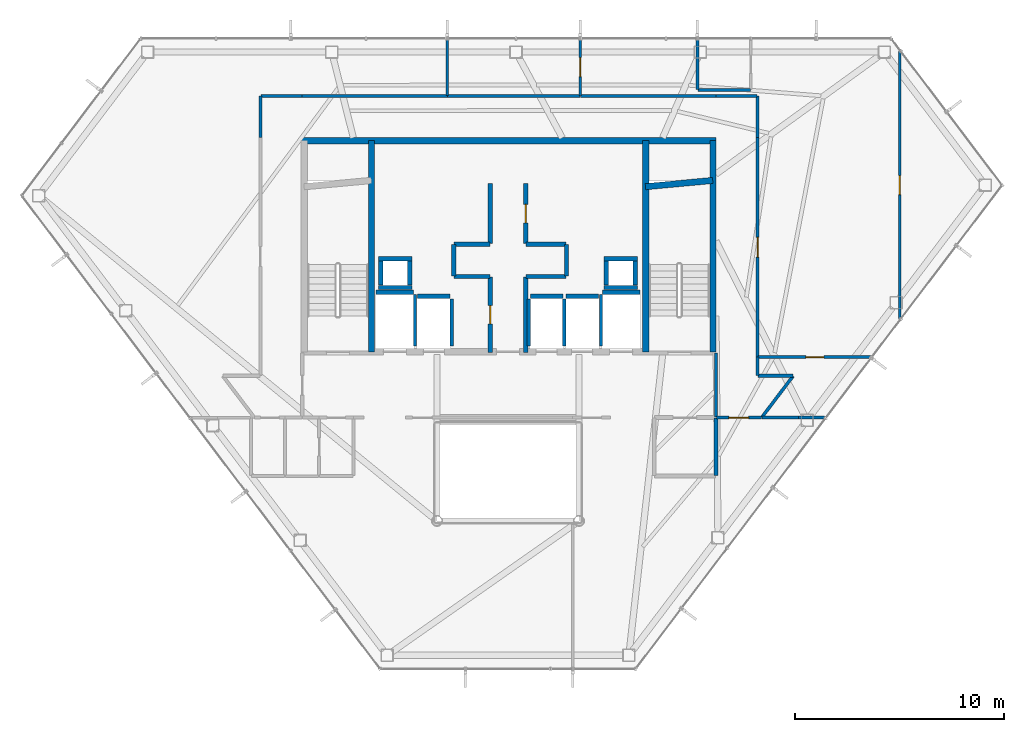
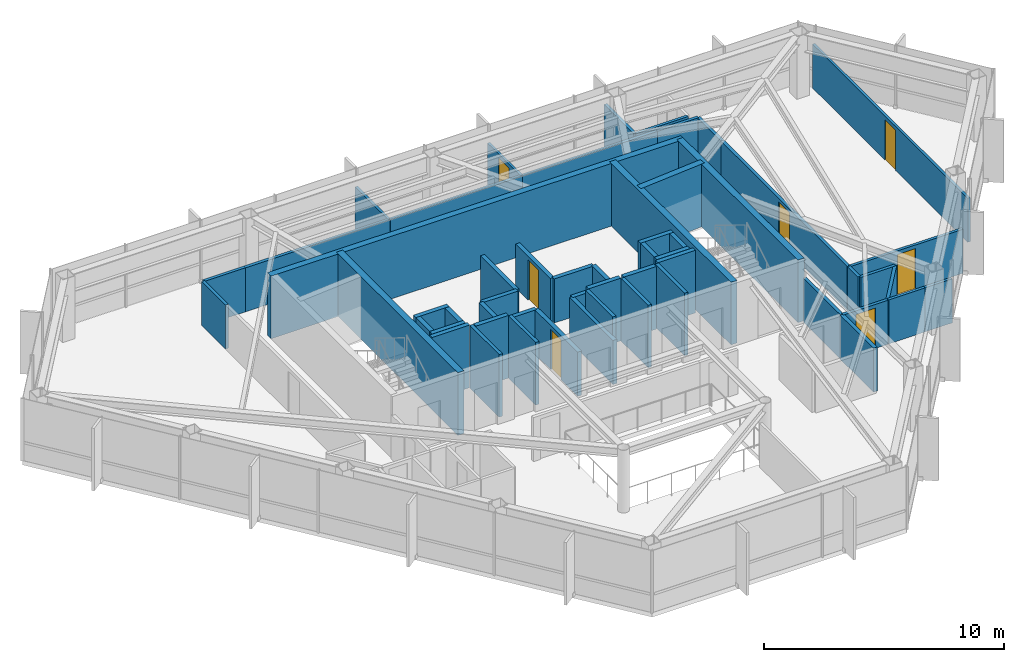
# One storey, part 26 of 28: 55 walls, 7 doors, 7 openings.
"""IFC4 building model written with IfcOpenShell, lengths in metres."""

from ifc_helpers import new_model, si_unit, direction, frame, frame_2d, origin, place, context, subcontext, project, spatial, rectangle, extrude, material, layer, layer_set, type_object, element, fill, save


model = new_model("IFC4")

# Units and contexts
model_context = context("Model", 3, precision=1e-05, world=origin(), true_north=direction((0.0, 1.0)))
body_context = subcontext(model_context, "Body", "Model", "MODEL_VIEW")
ifc_project = project(units=[si_unit("LENGTHUNIT", "METRE"), si_unit("AREAUNIT", "SQUARE_METRE"), si_unit("VOLUMEUNIT", "CUBIC_METRE"), si_unit("PLANEANGLEUNIT", "RADIAN"), si_unit("MASSUNIT", "GRAM", prefix="KILO")], contexts=[model_context])

# Site, building, storey
site_placement = place(None, origin())
site = spatial("IfcSite", under=ifc_project, at=site_placement, CompositionType="ELEMENT")
building_placement = place(site_placement, origin())
building = spatial("IfcBuilding", under=site, at=building_placement, Name="Zarrinselat Tower", CompositionType="ELEMENT")
storey_placement = place(building_placement, frame((0.0, 0.0, 222.360107421875)))
storey = spatial("IfcBuildingStorey", under=building, at=storey_placement, Name="L55", CompositionType="ELEMENT", Elevation=222.360107421875)

# Walls
ifc_material_1 = material(Name="Concrete C40/50", Category="concrete")
ifc_layer_1 = layer(ifc_material_1, 0.18994140625)
ifc_layer_set_1 = layer_set([ifc_layer_1], Name="Concrete C40/50")
wall_type_1 = type_object("IfcWallType", Name="WAL-PART-EI120", PredefinedType="PARTITIONING", material=ifc_layer_set_1)
wall_1_placement = place(storey_placement, frame((48.35009765625, 27.3701171875, 0.0), z_axis=(0.0, 0.0, 1.0), x_axis=(0.0, 1.0, 0.0)))
element("IfcWall", 1, at=wall_1_placement, inside=storey, type_object=wall_type_1, Name="L55 Partition Wall 21", PredefinedType="PARTITIONING", context=body_context, shape_type="SweptSolid", body=[
    extrude(rectangle(XDim=2.759765625, YDim=0.18994140625, at=frame_2d((1.3798828125, 0.0))), origin(), (0.0, 0.0, 1.0), 2.23486328125),
])
ifc_material_2 = material(Name="Fire-Rated Gypsum Board Partition", Category="gypsum")
ifc_layer_2 = layer(ifc_material_2, 0.14990234375)
ifc_layer_set_2 = layer_set([ifc_layer_2], Name="Fire-Rated Gypsum Board Partition")
wall_type_2 = type_object("IfcWallType", Name="WAL-PART-EI60", PredefinedType="PARTITIONING", material=ifc_layer_set_2)
wall_2_placement = place(storey_placement, frame((48.35009765625, 30.169921875, 0.0), z_axis=(0.0, 0.0, 1.0), x_axis=(0.0, 1.0, 0.0)))
element("IfcWall", 2, at=wall_2_placement, inside=storey, type_object=wall_type_2, Name="L55 Partition Wall 13", PredefinedType="PARTITIONING", context=body_context, shape_type="SweptSolid", body=[
    extrude(rectangle(XDim=3.06005859375, YDim=0.14990234375, at=frame_2d((1.530029296875, 0.0))), origin(), (0.0, 0.0, 1.0), 2.23486328125),
])

# Wall, opening, door
wall_3_placement = place(storey_placement, frame((48.3701171875, 30.14990234375, 0.0), z_axis=(0.0, 0.0, 1.0), x_axis=(1.0, 0.0, 0.0)))
wall_3 = element("IfcWall", 3, at=wall_3_placement, inside=storey, type_object=wall_type_2, Name="L55 Partition Wall 24", PredefinedType="PARTITIONING", context=body_context, shape_type="SweptSolid", body=[
    extrude(rectangle(XDim=2.155029296875, YDim=0.14990234375, at=frame_2d((1.07763671875, 0.0))), origin(), (0.0, 0.0, 1.0), 2.23486328125),
])
opening_1_placement = place(wall_3_placement, frame((0.607666015625, 0.0, 0.0)))
opening_1 = element("IfcOpeningElement", 4, at=opening_1_placement, cuts=wall_3, Name="Opening ID-04", PredefinedType="OPENING", context=body_context, shape_type="SweptSolid", body=[
    extrude(rectangle(XDim=0.93994140625, YDim=2.050048828125, at=frame_2d((0.469970703125, 1.02490234375))), frame((0.0, 0.0849609375, 0.0), z_axis=(0.0, -1.0, 0.0), x_axis=(1.0, 0.0, 0.0)), (0.0, 0.0, 1.0), 0.169921875),
])
ifc_material_3 = material(Name="Fire-Rated Gypsum Board Partition")
door_type_1 = type_object("IfcDoorType", Name="DR-INT-FD30-ENT", OperationType="NOTDEFINED", PredefinedType="DOOR", material=ifc_material_3)
door_1_placement = place(opening_1_placement, origin())
door_1 = element("IfcDoor", 5, at=door_1_placement, inside=storey, type_object=door_type_1, Name="L55 Interior Door P24", OperationType="SINGLE_SWING_RIGHT", OverallHeight=2.050048828125, OverallWidth=0.93994140625, PredefinedType="DOOR", context=body_context, shape_type="SweptSolid", body=[
    extrude(rectangle(XDim=0.93994140625, YDim=2.050048828125, at=frame_2d((0.469970703125, 1.02490234375))), frame((0.0, 0.02490234375, 0.0), z_axis=(0.0, -1.0, 0.0), x_axis=(1.0, 0.0, 0.0)), (0.0, 0.0, 1.0), 0.050048828125),
])
fill(opening_1, door_1)

# Walls
for number, where, z_axis, x_axis, name in (
    (6, (26.550048828125, 43.550048828125, 0.0), (0.0, 0.0, 1.0), (0.0, 1.0, 0.0), "L55 Partition Wall 28"),
    (7, (26.570068359375, 45.550048828125, 0.0), (0.0, 0.0, 1.0), (1.0, 0.0, 0.0), "L55 Partition Wall 29"),
):
    element("IfcWall", number, at=place(storey_placement, frame(where, z_axis=z_axis, x_axis=x_axis)), inside=storey, type_object=wall_type_2, Name=name, PredefinedType="PARTITIONING", context=body_context, shape_type="SweptSolid", body=[
        extrude(rectangle(XDim=1.97998046875, YDim=0.14990234375, at=frame_2d((0.989990234375, 0.0))), origin(), (0.0, 0.0, 1.0), 2.23486328125),
    ])
wall_4_placement = place(storey_placement, frame((28.550048828125, 45.550048828125, 0.0), z_axis=(0.0, 0.0, 1.0), x_axis=(1.0, 0.0, 0.0)))
element("IfcWall", 8, at=wall_4_placement, inside=storey, type_object=wall_type_2, Name="L55 Partition Wall 30", PredefinedType="PARTITIONING", context=body_context, shape_type="SweptSolid", body=[
    extrude(rectangle(XDim=6.945068359375, YDim=0.14990234375, at=frame_2d((3.47265625, 0.0))), origin(), (0.0, 0.0, 1.0), 2.23486328125),
])
wall_5_placement = place(storey_placement, frame((41.8603515625, 45.550048828125, 0.0), z_axis=(0.0, 0.0, 1.0), x_axis=(1.0, 0.0, 0.0)))
element("IfcWall", 9, at=wall_5_placement, inside=storey, type_object=wall_type_2, Name="L55 Partition Wall 31", PredefinedType="PARTITIONING", context=body_context, shape_type="SweptSolid", body=[
    extrude(rectangle(XDim=6.48974609375, YDim=0.14990234375, at=frame_2d((3.244873046875, 0.0))), origin(), (0.0, 0.0, 1.0), 2.23486328125),
])
for number, where, z_axis, x_axis, name in (
    (10, (48.35009765625, 45.550048828125, 0.0), (0.0, 0.0, 1.0), (1.0, 0.0, 0.0), "L55 Partition Wall 32"),
    (11, (50.35009765625, 43.550048828125, 0.0), (0.0, 0.0, 1.0), (0.0, 1.0, 0.0), "L55 Partition Wall 33"),
):
    element("IfcWall", number, at=place(storey_placement, frame(where, z_axis=z_axis, x_axis=x_axis)), inside=storey, type_object=wall_type_2, Name=name, PredefinedType="PARTITIONING", context=body_context, shape_type="SweptSolid", body=[
        extrude(rectangle(XDim=1.97998046875, YDim=0.14990234375, at=frame_2d((0.989990234375, 0.0))), origin(), (0.0, 0.0, 1.0), 2.23486328125),
    ])

# Wall, opening, door
wall_6_placement = place(storey_placement, frame((50.35009765625, 33.048583984375, 0.0), z_axis=(0.0, 0.0, 1.0), x_axis=(0.0, 1.0, 0.0)))
wall_6 = element("IfcWall", 12, at=wall_6_placement, inside=storey, type_object=wall_type_2, Name="L55 Partition Wall 34", PredefinedType="PARTITIONING", context=body_context, shape_type="SweptSolid", body=[
    extrude(rectangle(XDim=10.50146484375, YDim=0.14990234375, at=frame_2d((5.250732421875, 0.0))), origin(), (0.0, 0.0, 1.0), 2.23486328125),
])
opening_2_placement = place(wall_6_placement, frame((4.78076171875, 0.0, 0.0)))
opening_2 = element("IfcOpeningElement", 13, at=opening_2_placement, cuts=wall_6, Name="Opening ID-04", PredefinedType="OPENING", context=body_context, shape_type="SweptSolid", body=[
    extrude(rectangle(XDim=0.93994140625, YDim=2.050048828125, at=frame_2d((0.469970703125, 1.02490234375))), frame((0.0, 0.0849609375, 0.0), z_axis=(0.0, -1.0, 0.0), x_axis=(1.0, 0.0, 0.0)), (0.0, 0.0, 1.0), 0.169921875),
])
door_2_placement = place(opening_2_placement, origin())
door_2 = element("IfcDoor", 14, at=door_2_placement, inside=storey, type_object=door_type_1, Name="L55 Interior Door P34", OperationType="SINGLE_SWING_RIGHT", OverallHeight=2.050048828125, OverallWidth=0.93994140625, PredefinedType="DOOR", context=body_context, shape_type="SweptSolid", body=[
    extrude(rectangle(XDim=0.93994140625, YDim=2.050048828125, at=frame_2d((0.469970703125, 1.02490234375))), frame((0.0, 0.02490234375, 0.0), z_axis=(0.0, -1.0, 0.0), x_axis=(1.0, 0.0, 0.0)), (0.0, 0.0, 1.0), 0.050048828125),
])
fill(opening_2, door_2)

# Walls
wall_7_placement = place(storey_placement, frame((50.35009765625, 32.169921875, 0.0), z_axis=(0.0, 0.0, 1.0), x_axis=(0.0, 1.0, 0.0)))
element("IfcWall", 15, at=wall_7_placement, inside=storey, type_object=wall_type_2, Name="L55 Partition Wall 35", PredefinedType="PARTITIONING", context=body_context, shape_type="SweptSolid", body=[
    extrude(rectangle(XDim=0.86865234375, YDim=0.14990234375, at=frame_2d((0.434326171875, 0.0))), origin(), (0.0, 0.0, 1.0), 2.23486328125),
])
wall_8_placement = place(storey_placement, frame((50.3701171875, 32.14990234375, 0.0), z_axis=(0.0, 0.0, 1.0), x_axis=(1.0, 0.0, 0.0)))
element("IfcWall", 16, at=wall_8_placement, inside=storey, type_object=wall_type_2, Name="L55 Partition Wall 36", PredefinedType="PARTITIONING", context=body_context, shape_type="SweptSolid", body=[
    extrude(rectangle(XDim=1.665283203125, YDim=0.14990234375, at=frame_2d((0.83251953125, 0.0))), origin(), (0.0, 0.0, 1.0), 2.23486328125),
])
wall_9_placement = place(storey_placement, frame((50.55224609375, 30.166015625, 0.0), z_axis=(0.0, 0.0, 1.0), x_axis=(0.603869110647, 0.797083494502, 0.0)))
element("IfcWall", 17, at=wall_9_placement, inside=storey, type_object=wall_type_2, Name="L55 Partition Wall 37", PredefinedType="PARTITIONING", context=body_context, shape_type="SweptSolid", body=[
    extrude(rectangle(XDim=2.468994140625, YDim=0.14990234375, at=frame_2d((1.234375, 0.0))), origin(), (0.0, 0.0, 1.0), 2.23486328125),
])
wall_10_placement = place(storey_placement, frame((35.5048828125, 45.550048828125, 0.0), z_axis=(0.0, 0.0, 1.0), x_axis=(1.0, 0.0, 0.0)))
element("IfcWall", 18, at=wall_10_placement, inside=storey, type_object=wall_type_2, Name="L55 Partition Wall 38", PredefinedType="PARTITIONING", context=body_context, shape_type="SweptSolid", body=[
    extrude(rectangle(XDim=6.345458984375, YDim=0.14990234375, at=frame_2d((3.1728515625, 0.0))), origin(), (0.0, 0.0, 1.0), 2.23486328125),
])

# Wall, opening, door
ifc_material_4 = material(Name="Concrete C40/50", Category="concrete")
ifc_layer_3 = layer(ifc_material_4, 0.199951171875)
ifc_layer_set_3 = layer_set([ifc_layer_3], Name="Concrete C40/50")
wall_type_3 = type_object("IfcWallType", Name="WAL-PART-PLANT", PredefinedType="PARTITIONING", material=ifc_layer_set_3)
wall_11_placement = place(storey_placement, frame((37.550048828125, 33.264892578125, 0.0), z_axis=(0.0, 0.0, 1.0), x_axis=(0.0, 1.0, 0.0)))
wall_11 = element("IfcWall", 19, at=wall_11_placement, inside=storey, type_object=wall_type_3, Name="L55 Partition Wall 1", PredefinedType="PARTITIONING", context=body_context, shape_type="SweptSolid", body=[
    extrude(rectangle(XDim=3.614990234375, YDim=0.199951171875, at=frame_2d((1.8076171875, 0.0))), origin(), (0.0, 0.0, 1.0), 2.23486328125),
])
opening_3_placement = place(wall_11_placement, frame((1.367431640625, 0.0, 0.0)))
opening_3 = element("IfcOpeningElement", 20, at=opening_3_placement, cuts=wall_11, Name="Opening ID-03", PredefinedType="OPENING", context=body_context, shape_type="SweptSolid", body=[
    extrude(rectangle(XDim=0.8798828125, YDim=2.050048828125, at=frame_2d((0.43994140625, 1.02490234375))), frame((0.0, 0.10986328125, 0.0), z_axis=(0.0, -1.0, 0.0), x_axis=(1.0, 0.0, 0.0)), (0.0, 0.0, 1.0), 0.219970703125),
])
ifc_material_5 = material(Name="Steel S355J2", Category="steel")
door_type_2 = type_object("IfcDoorType", Name="DR-INT-FD60-S", OperationType="NOTDEFINED", PredefinedType="DOOR", material=ifc_material_5)
door_3_placement = place(opening_3_placement, origin())
door_3 = element("IfcDoor", 21, at=door_3_placement, inside=storey, type_object=door_type_2, Name="L55 Interior Door P1", OperationType="SINGLE_SWING_RIGHT", OverallHeight=2.050048828125, OverallWidth=0.8798828125, PredefinedType="DOOR", context=body_context, shape_type="SweptSolid", body=[
    extrude(rectangle(XDim=0.8798828125, YDim=2.050048828125, at=frame_2d((0.43994140625, 1.02490234375))), frame((0.0, 0.02490234375, 0.0), z_axis=(0.0, -1.0, 0.0), x_axis=(1.0, 0.0, 0.0)), (0.0, 0.0, 1.0), 0.050048828125),
])
fill(opening_3, door_3)

# Walls
wall_12_placement = place(storey_placement, frame((35.820068359375, 36.89990234375, 0.0), z_axis=(0.0, 0.0, 1.0), x_axis=(1.0, 0.0, 0.0)))
element("IfcWall", 22, at=wall_12_placement, inside=storey, type_object=wall_type_3, Name="L55 Partition Wall 2", PredefinedType="PARTITIONING", context=body_context, shape_type="SweptSolid", body=[
    extrude(rectangle(XDim=1.7099609375, YDim=0.199951171875, at=frame_2d((0.85498046875, 0.0))), origin(), (0.0, 0.0, 1.0), 2.23486328125),
])
wall_13_placement = place(storey_placement, frame((35.800048828125, 36.919921875, 0.0), z_axis=(0.0, 0.0, 1.0), x_axis=(0.0, 1.0, 0.0)))
element("IfcWall", 23, at=wall_13_placement, inside=storey, type_object=wall_type_3, Name="L55 Partition Wall 3", PredefinedType="PARTITIONING", context=body_context, shape_type="SweptSolid", body=[
    extrude(rectangle(XDim=1.510009765625, YDim=0.199951171875, at=frame_2d((0.7548828125, 0.0))), origin(), (0.0, 0.0, 1.0), 2.23486328125),
])
wall_14_placement = place(storey_placement, frame((35.820068359375, 38.449951171875, 0.0), z_axis=(0.0, 0.0, 1.0), x_axis=(1.0, 0.0, 0.0)))
element("IfcWall", 24, at=wall_14_placement, inside=storey, type_object=wall_type_3, Name="L55 Partition Wall 4", PredefinedType="PARTITIONING", context=body_context, shape_type="SweptSolid", body=[
    extrude(rectangle(XDim=1.7099609375, YDim=0.199951171875, at=frame_2d((0.85498046875, 0.0))), origin(), (0.0, 0.0, 1.0), 2.23486328125),
])
wall_15_placement = place(storey_placement, frame((37.550048828125, 38.469970703125, 0.0), z_axis=(0.0, 0.0, 1.0), x_axis=(0.0, 1.0, 0.0)))
element("IfcWall", 25, at=wall_15_placement, inside=storey, type_object=wall_type_3, Name="L55 Partition Wall 5", PredefinedType="PARTITIONING", context=body_context, shape_type="SweptSolid", body=[
    extrude(rectangle(XDim=2.880126953125, YDim=0.199951171875, at=frame_2d((1.43994140625, 0.0))), origin(), (0.0, 0.0, 1.0), 2.23486328125),
])

# Wall, opening, door
wall_16_placement = place(storey_placement, frame((39.25, 38.469970703125, 0.0), z_axis=(0.0, 0.0, 1.0), x_axis=(0.0, 1.0, 0.0)))
wall_16 = element("IfcWall", 26, at=wall_16_placement, inside=storey, type_object=wall_type_3, Name="L55 Partition Wall 6", PredefinedType="PARTITIONING", context=body_context, shape_type="SweptSolid", body=[
    extrude(rectangle(XDim=2.880126953125, YDim=0.199951171875, at=frame_2d((1.43994140625, 0.0))), origin(), (0.0, 0.0, 1.0), 2.23486328125),
])
opening_4_placement = place(wall_16_placement, frame((1.0, 0.0, 0.0)))
opening_4 = element("IfcOpeningElement", 27, at=opening_4_placement, cuts=wall_16, Name="Opening ID-03", PredefinedType="OPENING", context=body_context, shape_type="SweptSolid", body=[
    extrude(rectangle(XDim=0.8798828125, YDim=2.050048828125, at=frame_2d((0.43994140625, 1.02490234375))), frame((0.0, 0.10986328125, 0.0), z_axis=(0.0, -1.0, 0.0), x_axis=(1.0, 0.0, 0.0)), (0.0, 0.0, 1.0), 0.219970703125),
])
door_4_placement = place(opening_4_placement, origin())
door_4 = element("IfcDoor", 28, at=door_4_placement, inside=storey, type_object=door_type_2, Name="L55 Interior Door P6", OperationType="SINGLE_SWING_LEFT", OverallHeight=2.050048828125, OverallWidth=0.8798828125, PredefinedType="DOOR", context=body_context, shape_type="SweptSolid", body=[
    extrude(rectangle(XDim=0.8798828125, YDim=2.050048828125, at=frame_2d((0.43994140625, 1.02490234375))), frame((0.0, 0.02490234375, 0.0), z_axis=(0.0, -1.0, 0.0), x_axis=(1.0, 0.0, 0.0)), (0.0, 0.0, 1.0), 0.050048828125),
])
fill(opening_4, door_4)

# Walls
wall_17_placement = place(storey_placement, frame((39.27001953125, 38.449951171875, 0.0), z_axis=(0.0, 0.0, 1.0), x_axis=(1.0, 0.0, 0.0)))
element("IfcWall", 29, at=wall_17_placement, inside=storey, type_object=wall_type_3, Name="L55 Partition Wall 7", PredefinedType="PARTITIONING", context=body_context, shape_type="SweptSolid", body=[
    extrude(rectangle(XDim=1.909912109375, YDim=0.199951171875, at=frame_2d((0.955078125, 0.0))), origin(), (0.0, 0.0, 1.0), 2.23486328125),
])
wall_18_placement = place(storey_placement, frame((41.199951171875, 36.919921875, 0.0), z_axis=(0.0, 0.0, 1.0), x_axis=(0.0, 1.0, 0.0)))
element("IfcWall", 30, at=wall_18_placement, inside=storey, type_object=wall_type_3, Name="L55 Partition Wall 8", PredefinedType="PARTITIONING", context=body_context, shape_type="SweptSolid", body=[
    extrude(rectangle(XDim=1.510009765625, YDim=0.199951171875, at=frame_2d((0.7548828125, 0.0))), origin(), (0.0, 0.0, 1.0), 2.23486328125),
])
wall_19_placement = place(storey_placement, frame((39.27001953125, 36.89990234375, 0.0), z_axis=(0.0, 0.0, 1.0), x_axis=(1.0, 0.0, 0.0)))
element("IfcWall", 31, at=wall_19_placement, inside=storey, type_object=wall_type_3, Name="L55 Partition Wall 9", PredefinedType="PARTITIONING", context=body_context, shape_type="SweptSolid", body=[
    extrude(rectangle(XDim=1.909912109375, YDim=0.199951171875, at=frame_2d((0.955078125, 0.0))), origin(), (0.0, 0.0, 1.0), 2.23486328125),
])
wall_20_placement = place(storey_placement, frame((39.25, 33.264892578125, 0.0), z_axis=(0.0, 0.0, 1.0), x_axis=(0.0, 1.0, 0.0)))
element("IfcWall", 32, at=wall_20_placement, inside=storey, type_object=wall_type_3, Name="L55 Partition Wall 10", PredefinedType="PARTITIONING", context=body_context, shape_type="SweptSolid", body=[
    extrude(rectangle(XDim=3.614990234375, YDim=0.199951171875, at=frame_2d((1.8076171875, 0.0))), origin(), (0.0, 0.0, 1.0), 2.23486328125),
])
ifc_material_6 = material(Name="Fire-Rated Gypsum Board Partition", Category="gypsum")
ifc_layer_4 = layer(ifc_material_6, 0.1201171875)
ifc_layer_set_4 = layer_set([ifc_layer_4], Name="Fire-Rated Gypsum Board Partition")
wall_type_4 = type_object("IfcWallType", Name="WAL-PART-STD", PredefinedType="PARTITIONING", material=ifc_layer_set_4)
wall_21_placement = place(storey_placement, frame((35.5, 45.570068359375, 0.0), z_axis=(0.0, 0.0, 1.0), x_axis=(0.0, 1.0, 0.0)))
element("IfcWall", 33, at=wall_21_placement, inside=storey, type_object=wall_type_4, Name="L55 Partition Wall 51", PredefinedType="PARTITIONING", context=body_context, shape_type="SweptSolid", body=[
    extrude(rectangle(XDim=2.709228515625, YDim=0.1201171875, at=frame_2d((1.3544921875, 0.0))), origin(), (0.0, 0.0, 1.0), 2.23486328125),
])

# Wall, opening, door
wall_22_placement = place(storey_placement, frame((41.855224609375, 45.570068359375, 0.0), z_axis=(0.0, 0.0, 1.0), x_axis=(0.0, 1.0, 0.0)))
wall_22 = element("IfcWall", 34, at=wall_22_placement, inside=storey, type_object=wall_type_4, Name="L55 Partition Wall 56", PredefinedType="PARTITIONING", context=body_context, shape_type="SweptSolid", body=[
    extrude(rectangle(XDim=2.709228515625, YDim=0.1201171875, at=frame_2d((1.3544921875, 0.0))), origin(), (0.0, 0.0, 1.0), 2.23486328125),
])
opening_5_placement = place(wall_22_placement, frame((0.90478515625, 0.0, 0.0)))
opening_5 = element("IfcOpeningElement", 35, at=opening_5_placement, cuts=wall_22, Name="Opening ID-05", PredefinedType="OPENING", context=body_context, shape_type="SweptSolid", body=[
    extrude(rectangle(XDim=0.89990234375, YDim=2.050048828125, at=frame_2d((0.449951171875, 1.02490234375))), frame((0.0, 0.070068359375, 0.0), z_axis=(0.0, -1.0, 0.0), x_axis=(1.0, 0.0, 0.0)), (0.0, 0.0, 1.0), 0.14013671875),
])
ifc_material_7 = material(Name="Extruded Aluminium Alloy EN AW-6063 T6", Category="aluminium")
door_type_3 = type_object("IfcDoorType", Name="DR-INT-STD-920", OperationType="NOTDEFINED", PredefinedType="DOOR", material=ifc_material_7)
door_5_placement = place(opening_5_placement, origin())
door_5 = element("IfcDoor", 36, at=door_5_placement, inside=storey, type_object=door_type_3, Name="L55 Interior Door P56", OperationType="SINGLE_SWING_RIGHT", OverallHeight=2.050048828125, OverallWidth=0.89990234375, PredefinedType="DOOR", context=body_context, shape_type="SweptSolid", body=[
    extrude(rectangle(XDim=0.89990234375, YDim=2.050048828125, at=frame_2d((0.449951171875, 1.02490234375))), frame((0.0, 0.02490234375, 0.0), z_axis=(0.0, -1.0, 0.0), x_axis=(1.0, 0.0, 0.0)), (0.0, 0.0, 1.0), 0.050048828125),
])
fill(opening_5, door_5)

wall_23_placement = place(storey_placement, frame((57.150390625, 34.81689453125, 0.0), z_axis=(0.0, 0.0, 1.0), x_axis=(0.0, 1.0, 0.0)))
wall_23 = element("IfcWall", 37, at=wall_23_placement, inside=storey, type_object=wall_type_4, Name="L55 Partition Wall 57", PredefinedType="PARTITIONING", context=body_context, shape_type="SweptSolid", body=[
    extrude(rectangle(XDim=12.919921875, YDim=0.1201171875, at=frame_2d((6.4599609375, 0.0))), origin(), (0.0, 0.0, 1.0), 2.23486328125),
])
opening_6_placement = place(wall_23_placement, frame((6.010009765625, 0.0, 0.0)))
opening_6 = element("IfcOpeningElement", 38, at=opening_6_placement, cuts=wall_23, Name="Opening ID-05", PredefinedType="OPENING", context=body_context, shape_type="SweptSolid", body=[
    extrude(rectangle(XDim=0.89990234375, YDim=2.050048828125, at=frame_2d((0.449951171875, 1.02490234375))), frame((0.0, 0.070068359375, 0.0), z_axis=(0.0, -1.0, 0.0), x_axis=(1.0, 0.0, 0.0)), (0.0, 0.0, 1.0), 0.14013671875),
])
door_6_placement = place(opening_6_placement, origin())
door_6 = element("IfcDoor", 39, at=door_6_placement, inside=storey, type_object=door_type_3, Name="L55 Interior Door P57", OperationType="SINGLE_SWING_LEFT", OverallHeight=2.050048828125, OverallWidth=0.89990234375, PredefinedType="DOOR", context=body_context, shape_type="SweptSolid", body=[
    extrude(rectangle(XDim=0.89990234375, YDim=2.050048828125, at=frame_2d((0.449951171875, 1.02490234375))), frame((0.0, 0.02490234375, 0.0), z_axis=(0.0, -1.0, 0.0), x_axis=(1.0, 0.0, 0.0)), (0.0, 0.0, 1.0), 0.050048828125),
])
fill(opening_6, door_6)

# Walls
ifc_material_8 = material(Name="Fire-Rated Gypsum Board Partition", Category="gypsum")
ifc_layer_5 = layer(ifc_material_8, 0.135009765625)
ifc_layer_set_5 = layer_set([ifc_layer_5], Name="Fire-Rated Gypsum Board Partition")
wall_type_5 = type_object("IfcWallType", Name="WAL-PART-WET", PredefinedType="PARTITIONING", material=ifc_layer_set_5)
wall_24_placement = place(storey_placement, frame((50.560302734375, 30.14990234375, 0.0), z_axis=(0.0, 0.0, 1.0), x_axis=(1.0, 0.0, 0.0)))
element("IfcWall", 40, at=wall_24_placement, inside=storey, type_object=wall_type_5, Name="L55 Partition Wall 49", PredefinedType="PARTITIONING", context=body_context, shape_type="SweptSolid", body=[
    extrude(rectangle(XDim=1.73974609375, YDim=0.135009765625, at=frame_2d((0.869873046875, 0.0))), origin(), (0.0, 0.0, 1.0), 2.23486328125),
])
wall_25_placement = place(storey_placement, frame((52.300048828125, 30.14990234375, 0.0), z_axis=(0.0, 0.0, 1.0), x_axis=(1.0, 0.0, 0.0)))
element("IfcWall", 41, at=wall_25_placement, inside=storey, type_object=wall_type_5, Name="L55 Partition Wall 50", PredefinedType="PARTITIONING", context=body_context, shape_type="SweptSolid", body=[
    extrude(rectangle(XDim=1.311279296875, YDim=0.135009765625, at=frame_2d((0.65576171875, 0.0))), origin(), (0.0, 0.0, 1.0), 2.23486328125),
])

# Wall, opening, door
wall_26_placement = place(storey_placement, frame((50.3701171875, 33.04345703125, 0.0), z_axis=(0.0, 0.0, 1.0), x_axis=(1.0, 0.0, 0.0)))
wall_26 = element("IfcWall", 42, at=wall_26_placement, inside=storey, type_object=wall_type_5, Name="L55 Partition Wall 52", PredefinedType="PARTITIONING", context=body_context, shape_type="SweptSolid", body=[
    extrude(rectangle(XDim=5.433349609375, YDim=0.135009765625, at=frame_2d((2.716796875, 0.0))), origin(), (0.0, 0.0, 1.0), 2.23486328125),
])
opening_7_placement = place(wall_26_placement, frame((2.28662109375, 0.0, 0.0)))
opening_7 = element("IfcOpeningElement", 43, at=opening_7_placement, cuts=wall_26, Name="Opening ID-06", PredefinedType="OPENING", context=body_context, shape_type="SweptSolid", body=[
    extrude(rectangle(XDim=0.860107421875, YDim=2.050048828125, at=frame_2d((0.43017578125, 1.02490234375))), frame((0.0, 0.077392578125, 0.0), z_axis=(0.0, -1.0, 0.0), x_axis=(1.0, 0.0, 0.0)), (0.0, 0.0, 1.0), 0.155029296875),
])
ifc_material_9 = material(Name="Extruded Aluminium Alloy EN AW-6063 T6", Category="aluminium")
door_type_4 = type_object("IfcDoorType", Name="DR-INT-WET-900", OperationType="NOTDEFINED", PredefinedType="DOOR", material=ifc_material_9)
door_7_placement = place(opening_7_placement, origin())
door_7 = element("IfcDoor", 44, at=door_7_placement, inside=storey, type_object=door_type_4, Name="L55 Interior Door P52", OperationType="SINGLE_SWING_RIGHT", OverallHeight=2.050048828125, OverallWidth=0.860107421875, PredefinedType="DOOR", context=body_context, shape_type="SweptSolid", body=[
    extrude(rectangle(XDim=0.860107421875, YDim=2.050048828125, at=frame_2d((0.43017578125, 1.02490234375))), frame((0.0, 0.02490234375, 0.0), z_axis=(0.0, -1.0, 0.0), x_axis=(1.0, 0.0, 0.0)), (0.0, 0.0, 1.0), 0.050048828125),
])
fill(opening_7, door_7)

# Walls
wall_27_placement = place(storey_placement, frame((47.46533203125, 45.8544921875, 0.0), z_axis=(0.0, 0.0, 1.0), x_axis=(0.0, 1.0, 0.0)))
element("IfcWall", 45, at=wall_27_placement, inside=storey, type_object=wall_type_5, Name="L55 Partition Wall 53", PredefinedType="PARTITIONING", context=body_context, shape_type="SweptSolid", body=[
    extrude(rectangle(XDim=2.4248046875, YDim=0.135009765625, at=frame_2d((1.21240234375, 0.0))), origin(), (0.0, 0.0, 1.0), 2.23486328125),
])
wall_28_placement = place(storey_placement, frame((47.4853515625, 45.83447265625, 0.0), z_axis=(0.0, 0.0, 1.0), x_axis=(1.0, 0.0, 0.0)))
element("IfcWall", 46, at=wall_28_placement, inside=storey, type_object=wall_type_5, Name="L55 Partition Wall 54", PredefinedType="PARTITIONING", context=body_context, shape_type="SweptSolid", body=[
    extrude(rectangle(XDim=2.510009765625, YDim=0.135009765625, at=frame_2d((1.2548828125, 0.0))), origin(), (0.0, 0.0, 1.0), 2.23486328125),
])
ifc_material_10 = material(Name="Concrete C40/50", Category="concrete")
ifc_layer_6 = layer(ifc_material_10, 0.2099609375)
ifc_layer_set_6 = layer_set([ifc_layer_6], Name="Concrete C40/50")
wall_type_6 = type_object("IfcWallType", Name="WAL-SHAFT-210", PredefinedType="SOLIDWALL", material=ifc_layer_set_6)
wall_29_placement = place(storey_placement, frame((32.080078125, 36.155029296875, 0.0), z_axis=(0.0, 0.0, 1.0), x_axis=(1.0, 0.0, 0.0)))
element("IfcWall", 47, at=wall_29_placement, inside=storey, type_object=wall_type_6, Name="L55 Lift FFL1 North Shaft Wall", PredefinedType="SOLIDWALL", context=body_context, shape_type="SweptSolid", body=[
    extrude(rectangle(XDim=1.7998046875, YDim=0.2099609375, at=frame_2d((0.89990234375, 0.0))), origin(), (0.0, 0.0, 1.0), 3.179931640625),
])
wall_30_placement = place(storey_placement, frame((33.949951171875, 33.580078125, 0.0), z_axis=(0.0, 0.0, 1.0), x_axis=(0.0, 1.0, 0.0)))
element("IfcWall", 48, at=wall_30_placement, inside=storey, type_object=wall_type_6, Name="L55 Lift FFL1 E Shaft Wall", PredefinedType="SOLIDWALL", context=body_context, shape_type="SweptSolid", body=[
    extrude(rectangle(XDim=2.449951171875, YDim=0.159912109375, at=frame_2d((1.22509765625, 0.0))), origin(), (0.0, 0.0, 1.0), 3.179931640625),
])
wall_31_placement = place(storey_placement, frame((42.919921875, 36.155029296875, 0.0), z_axis=(0.0, 0.0, 1.0), x_axis=(1.0, 0.0, 0.0)))
element("IfcWall", 49, at=wall_31_placement, inside=storey, type_object=wall_type_6, Name="L55 Lift FFL2 North Shaft Wall", PredefinedType="SOLIDWALL", context=body_context, shape_type="SweptSolid", body=[
    extrude(rectangle(XDim=1.800048828125, YDim=0.2099609375, at=frame_2d((0.89990234375, 0.0))), origin(), (0.0, 0.0, 1.0), 3.179931640625),
])
wall_32_placement = place(storey_placement, frame((42.85009765625, 33.580078125, 0.0), z_axis=(0.0, 0.0, 1.0), x_axis=(0.0, 1.0, 0.0)))
element("IfcWall", 50, at=wall_32_placement, inside=storey, type_object=wall_type_6, Name="L55 Lift FFL2 W Shaft Wall", PredefinedType="SOLIDWALL", context=body_context, shape_type="SweptSolid", body=[
    extrude(rectangle(XDim=2.449951171875, YDim=0.159912109375, at=frame_2d((1.22509765625, 0.0))), origin(), (0.0, 0.0, 1.0), 3.179931640625),
])
wall_33_placement = place(storey_placement, frame((39.469970703125, 35.955078125, 0.0), z_axis=(0.0, 0.0, 1.0), x_axis=(1.0, 0.0, 0.0)))
element("IfcWall", 51, at=wall_33_placement, inside=storey, type_object=wall_type_6, Name="L55 Lift PL8 North Shaft Wall", PredefinedType="SOLIDWALL", context=body_context, shape_type="SweptSolid", body=[
    extrude(rectangle(XDim=1.56005859375, YDim=0.2099609375, at=frame_2d((0.780029296875, 0.0))), origin(), (0.0, 0.0, 1.0), 3.179931640625),
])
for number, where, z_axis, x_axis, name in (
    (52, (39.39990234375, 33.580078125, 0.0), (0.0, 0.0, 1.0), (0.0, 1.0, 0.0), "L55 Lift PL8 W Shaft Wall"),
    (53, (41.10009765625, 33.580078125, 0.0), (0.0, 0.0, 1.0), (0.0, 1.0, 0.0), "L55 Lift PL8 E Shaft Wall"),
):
    element("IfcWall", number, at=place(storey_placement, frame(where, z_axis=z_axis, x_axis=x_axis)), inside=storey, type_object=wall_type_6, Name=name, PredefinedType="SOLIDWALL", context=body_context, shape_type="SweptSolid", body=[
        extrude(rectangle(XDim=2.25, YDim=0.159912109375, at=frame_2d((1.125, 0.0))), origin(), (0.0, 0.0, 1.0), 3.179931640625),
    ])
wall_34_placement = place(storey_placement, frame((41.169921875, 35.955078125, 0.0), z_axis=(0.0, 0.0, 1.0), x_axis=(1.0, 0.0, 0.0)))
element("IfcWall", 54, at=wall_34_placement, inside=storey, type_object=wall_type_6, Name="L55 Lift PL9 North Shaft Wall", PredefinedType="SOLIDWALL", context=body_context, shape_type="SweptSolid", body=[
    extrude(rectangle(XDim=1.56005859375, YDim=0.2099609375, at=frame_2d((0.780029296875, 0.0))), origin(), (0.0, 0.0, 1.0), 3.179931640625),
])
wall_35_placement = place(storey_placement, frame((34.070068359375, 35.955078125, 0.0), z_axis=(0.0, 0.0, 1.0), x_axis=(1.0, 0.0, 0.0)))
element("IfcWall", 55, at=wall_35_placement, inside=storey, type_object=wall_type_6, Name="L55 Lift PL10 North Shaft Wall", PredefinedType="SOLIDWALL", context=body_context, shape_type="SweptSolid", body=[
    extrude(rectangle(XDim=1.559814453125, YDim=0.2099609375, at=frame_2d((0.77978515625, 0.0))), origin(), (0.0, 0.0, 1.0), 3.179931640625),
])
wall_36_placement = place(storey_placement, frame((35.699951171875, 33.580078125, 0.0), z_axis=(0.0, 0.0, 1.0), x_axis=(0.0, 1.0, 0.0)))
element("IfcWall", 56, at=wall_36_placement, inside=storey, type_object=wall_type_6, Name="L55 Lift PL10 E Shaft Wall", PredefinedType="SOLIDWALL", context=body_context, shape_type="SweptSolid", body=[
    extrude(rectangle(XDim=2.25, YDim=0.159912109375, at=frame_2d((1.125, 0.0))), origin(), (0.0, 0.0, 1.0), 3.179931640625),
])
for number, where, z_axis, x_axis, name in (
    (57, (32.2099609375, 36.375, 0.0), (0.0, 0.0, 1.0), (1.0, 0.0, 0.0), "L55 Core Riser RSR-W S Shaft Wall"),
    (58, (32.2099609375, 37.7451171875, 0.0), (0.0, 0.0, 1.0), (1.0, 0.0, 0.0), "L55 Core Riser RSR-W N Shaft Wall"),
):
    element("IfcWall", number, at=place(storey_placement, frame(where, z_axis=z_axis, x_axis=x_axis)), inside=storey, type_object=wall_type_6, Name=name, PredefinedType="SOLIDWALL", context=body_context, shape_type="SweptSolid", body=[
        extrude(rectangle(XDim=1.60009765625, YDim=0.2099609375, at=frame_2d((0.800048828125, 0.0))), origin(), (0.0, 0.0, 1.0), 3.179931640625),
    ])
for number, where, z_axis, x_axis, name in (
    (59, (32.31494140625, 36.485107421875, 0.0), (0.0, 0.0, 1.0), (0.0, 1.0, 0.0), "L55 Core Riser RSR-W W Shaft Wall"),
    (60, (33.705078125, 36.485107421875, 0.0), (0.0, 0.0, 1.0), (0.0, 1.0, 0.0), "L55 Core Riser RSR-W E Shaft Wall"),
):
    element("IfcWall", number, at=place(storey_placement, frame(where, z_axis=z_axis, x_axis=x_axis)), inside=storey, type_object=wall_type_6, Name=name, PredefinedType="SOLIDWALL", context=body_context, shape_type="SweptSolid", body=[
        extrude(rectangle(XDim=1.14990234375, YDim=0.2099609375, at=frame_2d((0.574951171875, 0.0))), origin(), (0.0, 0.0, 1.0), 3.179931640625),
    ])
for number, where, z_axis, x_axis, name in (
    (61, (42.989990234375, 36.375, 0.0), (0.0, 0.0, 1.0), (1.0, 0.0, 0.0), "L55 Core Riser RSR-E S Shaft Wall"),
    (62, (42.989990234375, 37.7451171875, 0.0), (0.0, 0.0, 1.0), (1.0, 0.0, 0.0), "L55 Core Riser RSR-E N Shaft Wall"),
):
    element("IfcWall", number, at=place(storey_placement, frame(where, z_axis=z_axis, x_axis=x_axis)), inside=storey, type_object=wall_type_6, Name=name, PredefinedType="SOLIDWALL", context=body_context, shape_type="SweptSolid", body=[
        extrude(rectangle(XDim=1.60009765625, YDim=0.2099609375, at=frame_2d((0.800048828125, 0.0))), origin(), (0.0, 0.0, 1.0), 3.179931640625),
    ])
for number, where, z_axis, x_axis, name in (
    (63, (43.094970703125, 36.485107421875, 0.0), (0.0, 0.0, 1.0), (0.0, 1.0, 0.0), "L55 Core Riser RSR-E W Shaft Wall"),
    (64, (44.485107421875, 36.485107421875, 0.0), (0.0, 0.0, 1.0), (0.0, 1.0, 0.0), "L55 Core Riser RSR-E E Shaft Wall"),
):
    element("IfcWall", number, at=place(storey_placement, frame(where, z_axis=z_axis, x_axis=x_axis)), inside=storey, type_object=wall_type_6, Name=name, PredefinedType="SOLIDWALL", context=body_context, shape_type="SweptSolid", body=[
        extrude(rectangle(XDim=1.14990234375, YDim=0.2099609375, at=frame_2d((0.574951171875, 0.0))), origin(), (0.0, 0.0, 1.0), 3.179931640625),
    ])
ifc_material_11 = material(Name="Concrete C40/50", Category="concrete")
ifc_layer_7 = layer(ifc_material_11, 0.300048828125)
ifc_layer_set_7 = layer_set([ifc_layer_7], Name="Concrete C40/50")
wall_type_7 = type_object("IfcWallType", Name="WAL-SHEAR-300", PredefinedType="SHEAR", material=ifc_layer_set_7)
wall_37_placement = place(storey_placement, frame((28.5, 43.39990234375, 0.0), z_axis=(0.0, 0.0, 1.0), x_axis=(1.0, 0.0, 0.0)))
element("IfcWall", 65, at=wall_37_placement, inside=storey, type_object=wall_type_7, Name="L55 North Core Shear Wall", PredefinedType="SHEAR", context=body_context, shape_type="SweptSolid", body=[
    extrude(rectangle(XDim=19.860107421875, YDim=0.300048828125, at=frame_2d((9.93017578125, 0.0))), origin(), (0.0, 0.0, 1.0), 3.179931640625),
])
for number, where, z_axis, x_axis, name in (
    (66, (31.8701171875, 33.300048828125, 0.0), (0.0, 0.0, 1.0), (0.0, 1.0, 0.0), "L55 Core Shear Wall ST1E"),
    (67, (44.989990234375, 33.300048828125, 0.0), (0.0, 0.0, 1.0), (0.0, 1.0, 0.0), "L55 Core Shear Wall ST2W"),
    (68, (48.2099609375, 33.300048828125, 0.0), (0.0, 0.0, 1.0), (0.0, 1.0, 0.0), "L55 Core Shear Wall E"),
):
    element("IfcWall", number, at=place(storey_placement, frame(where, z_axis=z_axis, x_axis=x_axis)), inside=storey, type_object=wall_type_7, Name=name, PredefinedType="SHEAR", context=body_context, shape_type="SweptSolid", body=[
        extrude(rectangle(XDim=10.099853515625, YDim=0.300048828125, at=frame_2d((5.0498046875, 0.0))), origin(), (0.0, 0.0, 1.0), 3.179931640625),
    ])
wall_38_placement = place(storey_placement, frame((44.97998046875, 41.199951171875, 0.0), z_axis=(0.0, 0.0, 1.0), x_axis=(0.995686468965, 0.09278176286, 0.0)))
element("IfcWall", 69, at=wall_38_placement, inside=storey, type_object=wall_type_7, Name="L55 Stair 2 North Shaft Wall", PredefinedType="SHEAR", context=body_context, shape_type="SweptSolid", body=[
    extrude(rectangle(XDim=3.23388671875, YDim=0.300048828125, at=frame_2d((1.616943359375, 0.0))), origin(), (0.0, 0.0, 1.0), 3.179931640625),
])

save(model, "model.ifc")
